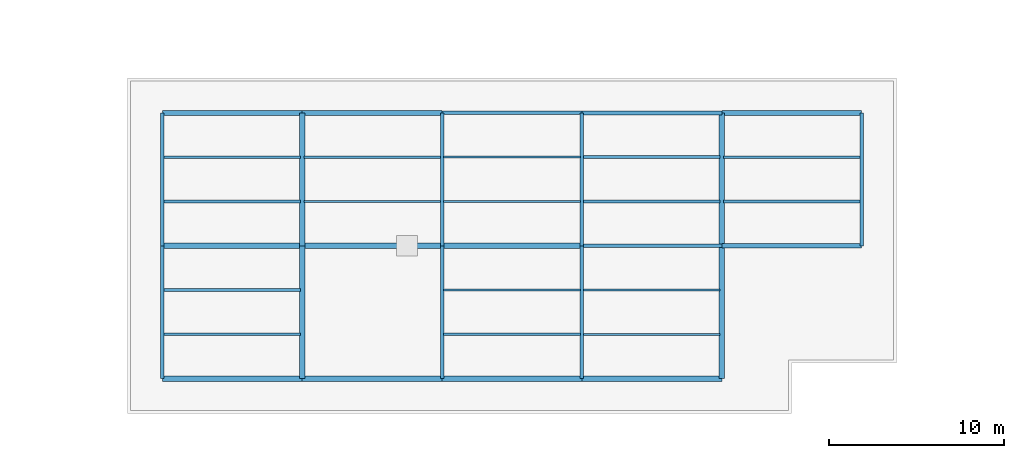
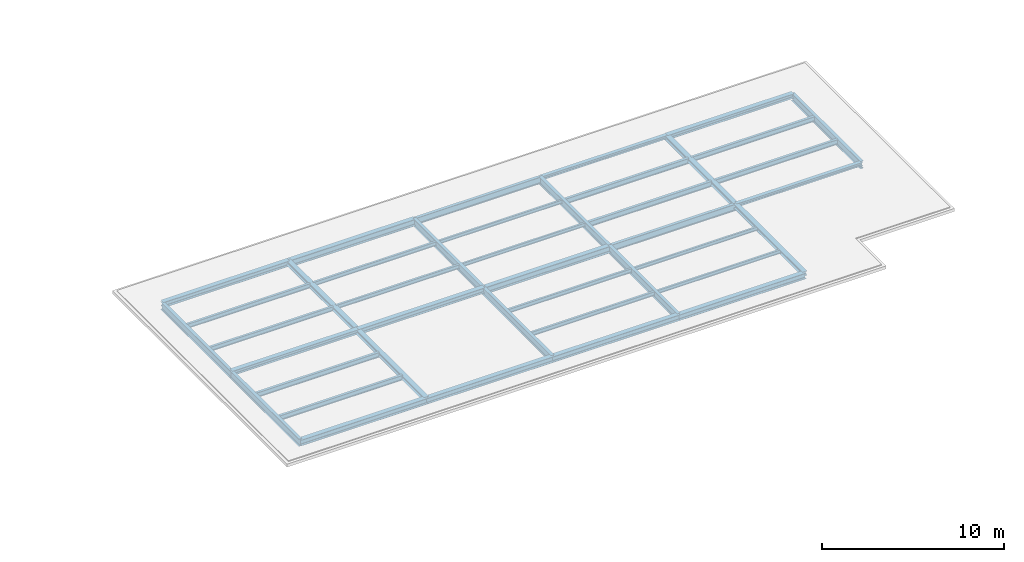
# One storey, part 21 of 120: 41 beams.
"""IFC4 building model written with IfcOpenShell, lengths in metres."""

from ifc_helpers import new_model, si_unit, direction, frame, origin, origin_2d, place, context, subcontext, project, spatial, i_section, extrude, material, material_profile, profile_set, type_object, element, save


model = new_model("IFC4")

# Units and contexts
model_context = context("Model", 3, precision=1e-05, world=origin(), true_north=direction((0.0, 1.0)))
body_context = subcontext(model_context, "Body", "Model", "MODEL_VIEW")
ifc_project = project(units=[si_unit("LENGTHUNIT", "METRE"), si_unit("AREAUNIT", "SQUARE_METRE"), si_unit("VOLUMEUNIT", "CUBIC_METRE"), si_unit("PLANEANGLEUNIT", "RADIAN"), si_unit("MASSUNIT", "GRAM", prefix="KILO")], contexts=[model_context])

# Site, building, storey
site_placement = place(None, origin())
site = spatial("IfcSite", under=ifc_project, at=site_placement, CompositionType="ELEMENT")
building_placement = place(site_placement, origin())
building = spatial("IfcBuilding", under=site, at=building_placement, Name="Vekula Escarpment Museum", CompositionType="ELEMENT")
storey_placement = place(building_placement, frame((0.0, 0.0, 13.199951171875)))
storey = spatial("IfcBuildingStorey", under=building, at=storey_placement, Name="L03", CompositionType="ELEMENT", Elevation=13.199951171875)

# Beams
ifc_material_1 = material(Name="Steel S355", Category="steel")
ifc_material_profile_1 = material_profile(ifc_material_1, i_section(OverallWidth=0.300048828125, OverallDepth=0.300048828125, WebThickness=0.010986328125, FlangeThickness=0.01904296875, FilletRadius=0.027099609375, at=origin_2d()), Name="HEB 300")
ifc_profile_set_1 = profile_set([ifc_material_profile_1], Name="Steel S355")
beam_type_1 = type_object("IfcBeamType", Name="BM-GIRD-HEB300", PredefinedType="BEAM", material=ifc_profile_set_1)
for number, where, z_axis, x_axis, name in (
    (1, (78.0, 7.60009765625, -0.349853515625), (1.0, 0.0, 0.0), (0.0, 1.0, 0.0), "Beam X L03 1283"),
    (2, (110.0, 15.199951171875, -0.349853515625), (1.0, 0.0, 0.0), (0.0, 1.0, 0.0), "Beam X L03 1300"),
):
    element("IfcBeam", number, at=place(storey_placement, frame(where, z_axis=z_axis, x_axis=x_axis)), inside=storey, type_object=beam_type_1, Name=name, PredefinedType="BEAM", context=body_context, shape_type="SweptSolid", body=[
        extrude(i_section(OverallWidth=0.300048828125, OverallDepth=0.300048828125, WebThickness=0.010986328125, FlangeThickness=0.01904296875, FilletRadius=0.027099609375, at=origin_2d()), origin(), (0.0, 0.0, 1.0), 8.0),
    ])
ifc_material_2 = material(Name="Steel S355", Category="steel")
ifc_material_profile_2 = material_profile(ifc_material_2, i_section(OverallWidth=0.300048828125, OverallDepth=0.360107421875, WebThickness=0.012451171875, FlangeThickness=0.0224609375, FilletRadius=0.027099609375, at=origin_2d()), Name="HEB 360")
ifc_profile_set_2 = profile_set([ifc_material_profile_2], Name="Steel S355")
beam_type_2 = type_object("IfcBeamType", Name="BM-GIRD-HEB360", PredefinedType="BEAM", material=ifc_profile_set_2)
for number, where, z_axis, x_axis, name in (
    (3, (86.0, 7.60009765625, -0.3798828125), (1.0, 0.0, 0.0), (0.0, 1.0, 0.0), "Beam X L03 1284"),
    (4, (78.0, 15.199951171875, -0.3798828125), (1.0, 0.0, 0.0), (0.0, 1.0, 0.0), "Beam X L03 1296"),
):
    element("IfcBeam", number, at=place(storey_placement, frame(where, z_axis=z_axis, x_axis=x_axis)), inside=storey, type_object=beam_type_2, Name=name, PredefinedType="BEAM", context=body_context, shape_type="SweptSolid", body=[
        extrude(i_section(OverallWidth=0.300048828125, OverallDepth=0.360107421875, WebThickness=0.012451171875, FlangeThickness=0.0224609375, FilletRadius=0.027099609375, at=origin_2d()), origin(), (0.0, 0.0, 1.0), 8.0),
    ])
ifc_material_3 = material(Name="Steel S355", Category="steel")
ifc_material_profile_3 = material_profile(ifc_material_3, i_section(OverallWidth=0.300048828125, OverallDepth=0.449951171875, WebThickness=0.013916015625, FlangeThickness=0.02587890625, FilletRadius=0.027099609375, at=origin_2d()), Name="HEB 450")
ifc_profile_set_3 = profile_set([ifc_material_profile_3], Name="Steel S355")
beam_type_3 = type_object("IfcBeamType", Name="BM-GIRD-HEB450", PredefinedType="BEAM", material=ifc_profile_set_3)
for number, where, z_axis, x_axis, name in (
    (5, (94.0, 7.60009765625, -0.425048828125), (1.0, 0.0, 0.0), (0.0, 1.0, 0.0), "Beam X L03 1285"),
    (6, (86.0, 15.199951171875, -0.425048828125), (1.0, 0.0, 0.0), (0.0, 1.0, 0.0), "Beam X L03 1297"),
):
    element("IfcBeam", number, at=place(storey_placement, frame(where, z_axis=z_axis, x_axis=x_axis)), inside=storey, type_object=beam_type_3, Name=name, PredefinedType="BEAM", context=body_context, shape_type="SweptSolid", body=[
        extrude(i_section(OverallWidth=0.300048828125, OverallDepth=0.449951171875, WebThickness=0.013916015625, FlangeThickness=0.02587890625, FilletRadius=0.027099609375, at=origin_2d()), origin(), (0.0, 0.0, 1.0), 8.0),
    ])
ifc_material_4 = material(Name="Steel S355", Category="steel")
ifc_material_profile_4 = material_profile(ifc_material_4, i_section(OverallWidth=0.18994140625, OverallDepth=0.449951171875, WebThickness=0.009521484375, FlangeThickness=0.0146484375, FilletRadius=0.02099609375, at=origin_2d()), Name="IPE 450")
ifc_profile_set_4 = profile_set([ifc_material_profile_4], Name="Steel S355")
beam_type_4 = type_object("IfcBeamType", Name="BM-GIRD-IPE450", PredefinedType="BEAM", material=ifc_profile_set_4)
for number, where, z_axis, x_axis, name in (
    (7, (102.0, 7.60009765625, -0.425048828125), (1.0, 0.0, 0.0), (0.0, 1.0, 0.0), "Beam X L03 1286"),
    (8, (94.0, 15.199951171875, -0.425048828125), (1.0, 0.0, 0.0), (0.0, 1.0, 0.0), "Beam X L03 1298"),
):
    element("IfcBeam", number, at=place(storey_placement, frame(where, z_axis=z_axis, x_axis=x_axis)), inside=storey, type_object=beam_type_4, Name=name, PredefinedType="BEAM", context=body_context, shape_type="SweptSolid", body=[
        extrude(i_section(OverallWidth=0.18994140625, OverallDepth=0.449951171875, WebThickness=0.009521484375, FlangeThickness=0.0146484375, FilletRadius=0.02099609375, at=origin_2d()), origin(), (0.0, 0.0, 1.0), 8.0),
    ])
ifc_material_5 = material(Name="Steel S355", Category="steel")
ifc_material_profile_5 = material_profile(ifc_material_5, i_section(OverallWidth=0.199951171875, OverallDepth=0.5, WebThickness=0.01025390625, FlangeThickness=0.01611328125, FilletRadius=0.02099609375, at=origin_2d()), Name="IPE 500")
ifc_profile_set_5 = profile_set([ifc_material_profile_5], Name="Steel S355")
beam_type_5 = type_object("IfcBeamType", Name="BM-GIRD-IPE500", PredefinedType="BEAM", material=ifc_profile_set_5)
beam_1_placement = place(storey_placement, frame((78.0, 0.0, -0.449951171875), z_axis=(0.0, 1.0, 0.0), x_axis=(-1.0, 0.0, 0.0)))
element("IfcBeam", 9, at=beam_1_placement, inside=storey, type_object=beam_type_5, Name="Beam Y L03 1563", PredefinedType="BEAM", context=body_context, shape_type="SweptSolid", body=[
    extrude(i_section(OverallWidth=0.199951171875, OverallDepth=0.5, WebThickness=0.01025390625, FlangeThickness=0.01611328125, FilletRadius=0.02099609375, at=origin_2d()), origin(), (0.0, 0.0, 1.0), 7.60009765625),
])
beam_2_placement = place(storey_placement, frame((78.0, 7.60009765625, -0.449951171875), z_axis=(0.0, 1.0, 0.0), x_axis=(-1.0, 0.0, 0.0)))
element("IfcBeam", 10, at=beam_2_placement, inside=storey, type_object=beam_type_5, Name="Beam Y L03 1564", PredefinedType="BEAM", context=body_context, shape_type="SweptSolid", body=[
    extrude(i_section(OverallWidth=0.199951171875, OverallDepth=0.5, WebThickness=0.01025390625, FlangeThickness=0.01611328125, FilletRadius=0.02099609375, at=origin_2d()), origin(), (0.0, 0.0, 1.0), 7.599853515625),
])
beam_3_placement = place(storey_placement, frame((94.0, 0.0, -0.449951171875), z_axis=(0.0, 1.0, 0.0), x_axis=(-1.0, 0.0, 0.0)))
element("IfcBeam", 11, at=beam_3_placement, inside=storey, type_object=beam_type_5, Name="Beam Y L03 1583", PredefinedType="BEAM", context=body_context, shape_type="SweptSolid", body=[
    extrude(i_section(OverallWidth=0.199951171875, OverallDepth=0.5, WebThickness=0.01025390625, FlangeThickness=0.01611328125, FilletRadius=0.02099609375, at=origin_2d()), origin(), (0.0, 0.0, 1.0), 7.60009765625),
])
beam_4_placement = place(storey_placement, frame((94.0, 7.60009765625, -0.449951171875), z_axis=(0.0, 1.0, 0.0), x_axis=(-1.0, 0.0, 0.0)))
element("IfcBeam", 12, at=beam_4_placement, inside=storey, type_object=beam_type_5, Name="Beam Y L03 1584", PredefinedType="BEAM", context=body_context, shape_type="SweptSolid", body=[
    extrude(i_section(OverallWidth=0.199951171875, OverallDepth=0.5, WebThickness=0.01025390625, FlangeThickness=0.01611328125, FilletRadius=0.02099609375, at=origin_2d()), origin(), (0.0, 0.0, 1.0), 7.599853515625),
])
beam_5_placement = place(storey_placement, frame((102.0, 0.0, -0.449951171875), z_axis=(0.0, 1.0, 0.0), x_axis=(-1.0, 0.0, 0.0)))
element("IfcBeam", 13, at=beam_5_placement, inside=storey, type_object=beam_type_5, Name="Beam Y L03 1595", PredefinedType="BEAM", context=body_context, shape_type="SweptSolid", body=[
    extrude(i_section(OverallWidth=0.199951171875, OverallDepth=0.5, WebThickness=0.01025390625, FlangeThickness=0.01611328125, FilletRadius=0.02099609375, at=origin_2d()), origin(), (0.0, 0.0, 1.0), 7.60009765625),
])
for number, where, z_axis, x_axis, name in (
    (14, (102.0, 7.60009765625, -0.449951171875), (0.0, 1.0, 0.0), (-1.0, 0.0, 0.0), "Beam Y L03 1596"),
    (15, (118.0, 7.60009765625, -0.449951171875), (0.0, 1.0, 0.0), (-1.0, 0.0, 0.0), "Beam Y L03 1617"),
):
    element("IfcBeam", number, at=place(storey_placement, frame(where, z_axis=z_axis, x_axis=x_axis)), inside=storey, type_object=beam_type_5, Name=name, PredefinedType="BEAM", context=body_context, shape_type="SweptSolid", body=[
        extrude(i_section(OverallWidth=0.199951171875, OverallDepth=0.5, WebThickness=0.01025390625, FlangeThickness=0.01611328125, FilletRadius=0.02099609375, at=origin_2d()), origin(), (0.0, 0.0, 1.0), 7.599853515625),
    ])
ifc_material_6 = material(Name="Steel S355", Category="steel")
ifc_material_profile_6 = material_profile(ifc_material_6, i_section(OverallWidth=0.1201171875, OverallDepth=0.239990234375, WebThickness=0.006103515625, FlangeThickness=0.009765625, FilletRadius=0.014892578125, at=origin_2d()), Name="IPE 240")
ifc_profile_set_6 = profile_set([ifc_material_profile_6], Name="Steel S355")
beam_type_6 = type_object("IfcBeamType", Name="BM-JST-IPE240", PredefinedType="JOIST", material=ifc_profile_set_6)
for number, where, z_axis, x_axis, name in (
    (16, (94.090087890625, 10.13330078125, -0.320068359375), (1.0, 0.0, 0.0), (0.0, 1.0, 0.0), "Secondary Joist L03 1025"),
    (17, (94.090087890625, 12.666748046875, -0.320068359375), (1.0, 0.0, 0.0), (0.0, 1.0, 0.0), "Secondary Joist L03 1026"),
    (18, (102.090087890625, 2.533203125, -0.320068359375), (1.0, 0.0, 0.0), (0.0, 1.0, 0.0), "Secondary Joist L03 1043"),
    (19, (102.090087890625, 5.066650390625, -0.320068359375), (1.0, 0.0, 0.0), (0.0, 1.0, 0.0), "Secondary Joist L03 1044"),
):
    element("IfcBeam", number, at=place(storey_placement, frame(where, z_axis=z_axis, x_axis=x_axis)), inside=storey, type_object=beam_type_6, Name=name, PredefinedType="JOIST", context=body_context, shape_type="SweptSolid", body=[
        extrude(i_section(OverallWidth=0.1201171875, OverallDepth=0.239990234375, WebThickness=0.006103515625, FlangeThickness=0.009765625, FilletRadius=0.014892578125, at=origin_2d()), origin(), (0.0, 0.0, 1.0), 7.81982421875),
    ])
ifc_material_7 = material(Name="Steel S355", Category="steel")
ifc_material_profile_7 = material_profile(ifc_material_7, i_section(OverallWidth=0.135009765625, OverallDepth=0.27001953125, WebThickness=0.006591796875, FlangeThickness=0.01025390625, FilletRadius=0.014892578125, at=origin_2d()), Name="IPE 270")
ifc_profile_set_7 = profile_set([ifc_material_profile_7], Name="Steel S355")
beam_type_7 = type_object("IfcBeamType", Name="BM-JST-IPE270", PredefinedType="JOIST", material=ifc_profile_set_7)
for number, where, z_axis, x_axis, name in (
    (20, (86.090087890625, 10.13330078125, -0.3349609375), (1.0, 0.0, 0.0), (0.0, 1.0, 0.0), "Secondary Joist L03 1014"),
    (21, (86.090087890625, 12.666748046875, -0.3349609375), (1.0, 0.0, 0.0), (0.0, 1.0, 0.0), "Secondary Joist L03 1015"),
    (22, (94.090087890625, 2.533203125, -0.3349609375), (1.0, 0.0, 0.0), (0.0, 1.0, 0.0), "Secondary Joist L03 1023"),
    (23, (94.090087890625, 5.066650390625, -0.3349609375), (1.0, 0.0, 0.0), (0.0, 1.0, 0.0), "Secondary Joist L03 1024"),
):
    element("IfcBeam", number, at=place(storey_placement, frame(where, z_axis=z_axis, x_axis=x_axis)), inside=storey, type_object=beam_type_7, Name=name, PredefinedType="JOIST", context=body_context, shape_type="SweptSolid", body=[
        extrude(i_section(OverallWidth=0.135009765625, OverallDepth=0.27001953125, WebThickness=0.006591796875, FlangeThickness=0.01025390625, FilletRadius=0.014892578125, at=origin_2d()), origin(), (0.0, 0.0, 1.0), 7.81982421875),
    ])
ifc_material_8 = material(Name="Steel S355", Category="steel")
ifc_material_profile_8 = material_profile(ifc_material_8, i_section(OverallWidth=0.14990234375, OverallDepth=0.300048828125, WebThickness=0.007080078125, FlangeThickness=0.0107421875, FilletRadius=0.014892578125, at=origin_2d()), Name="IPE 300")
ifc_profile_set_8 = profile_set([ifc_material_profile_8], Name="Steel S355")
beam_type_8 = type_object("IfcBeamType", Name="BM-JST-IPE300", PredefinedType="JOIST", material=ifc_profile_set_8)
for number, where, z_axis, x_axis, name in (
    (24, (78.090087890625, 10.13330078125, -0.349853515625), (1.0, 0.0, 0.0), (0.0, 1.0, 0.0), "Secondary Joist L03 1000"),
    (25, (78.090087890625, 12.666748046875, -0.349853515625), (1.0, 0.0, 0.0), (0.0, 1.0, 0.0), "Secondary Joist L03 1001"),
):
    element("IfcBeam", number, at=place(storey_placement, frame(where, z_axis=z_axis, x_axis=x_axis)), inside=storey, type_object=beam_type_8, Name=name, PredefinedType="JOIST", context=body_context, shape_type="SweptSolid", body=[
        extrude(i_section(OverallWidth=0.14990234375, OverallDepth=0.300048828125, WebThickness=0.007080078125, FlangeThickness=0.0107421875, FilletRadius=0.014892578125, at=origin_2d()), origin(), (0.0, 0.0, 1.0), 7.81982421875),
    ])
ifc_material_9 = material(Name="Steel S355", Category="steel")
ifc_material_profile_9 = material_profile(ifc_material_9, i_section(OverallWidth=0.159912109375, OverallDepth=0.330078125, WebThickness=0.007568359375, FlangeThickness=0.011474609375, FilletRadius=0.01806640625, at=origin_2d()), Name="IPE 330")
ifc_profile_set_9 = profile_set([ifc_material_profile_9], Name="Steel S355")
beam_type_9 = type_object("IfcBeamType", Name="BM-JST-IPE330", PredefinedType="JOIST", material=ifc_profile_set_9)
for number, where, z_axis, x_axis, name in (
    (26, (78.090087890625, 2.533203125, -0.364990234375), (1.0, 0.0, 0.0), (0.0, 1.0, 0.0), "Secondary Joist L03 0998"),
    (27, (78.090087890625, 5.066650390625, -0.364990234375), (1.0, 0.0, 0.0), (0.0, 1.0, 0.0), "Secondary Joist L03 0999"),
    (28, (110.090087890625, 10.13330078125, -0.364990234375), (1.0, 0.0, 0.0), (0.0, 1.0, 0.0), "Secondary Joist L03 1055"),
    (29, (110.090087890625, 12.666748046875, -0.364990234375), (1.0, 0.0, 0.0), (0.0, 1.0, 0.0), "Secondary Joist L03 1056"),
):
    element("IfcBeam", number, at=place(storey_placement, frame(where, z_axis=z_axis, x_axis=x_axis)), inside=storey, type_object=beam_type_9, Name=name, PredefinedType="JOIST", context=body_context, shape_type="SweptSolid", body=[
        extrude(i_section(OverallWidth=0.159912109375, OverallDepth=0.330078125, WebThickness=0.007568359375, FlangeThickness=0.011474609375, FilletRadius=0.01806640625, at=origin_2d()), origin(), (0.0, 0.0, 1.0), 7.81982421875),
    ])
ifc_material_10 = material(Name="Steel S355", Category="steel")
ifc_material_profile_10 = material_profile(ifc_material_10, i_section(OverallWidth=0.169921875, OverallDepth=0.360107421875, WebThickness=0.008056640625, FlangeThickness=0.0126953125, FilletRadius=0.01806640625, at=origin_2d()), Name="IPE 360")
ifc_profile_set_10 = profile_set([ifc_material_profile_10], Name="Steel S355")
beam_type_10 = type_object("IfcBeamType", Name="BM-JST-IPE360", PredefinedType="JOIST", material=ifc_profile_set_10)
for number, where, z_axis, x_axis, name in (
    (30, (102.090087890625, 10.13330078125, -0.3798828125), (1.0, 0.0, 0.0), (0.0, 1.0, 0.0), "Secondary Joist L03 1045"),
    (31, (102.090087890625, 12.666748046875, -0.3798828125), (1.0, 0.0, 0.0), (0.0, 1.0, 0.0), "Secondary Joist L03 1046"),
):
    element("IfcBeam", number, at=place(storey_placement, frame(where, z_axis=z_axis, x_axis=x_axis)), inside=storey, type_object=beam_type_10, Name=name, PredefinedType="JOIST", context=body_context, shape_type="SweptSolid", body=[
        extrude(i_section(OverallWidth=0.169921875, OverallDepth=0.360107421875, WebThickness=0.008056640625, FlangeThickness=0.0126953125, FilletRadius=0.01806640625, at=origin_2d()), origin(), (0.0, 0.0, 1.0), 7.81982421875),
    ])
ifc_material_11 = material(Name="Steel S355", Category="steel")
ifc_material_profile_11 = material_profile(ifc_material_11, i_section(OverallWidth=0.239990234375, OverallDepth=0.22998046875, WebThickness=0.007568359375, FlangeThickness=0.011962890625, FilletRadius=0.02099609375, at=origin_2d()), Name="HEA 240")
ifc_profile_set_11 = profile_set([ifc_material_profile_11], Name="Steel S355")
beam_type_11 = type_object("IfcBeamType", Name="BM-SPAN-HEA240", PredefinedType="SPANDREL", material=ifc_profile_set_11)
for number, where, z_axis, x_axis, name in (
    (32, (110.0, 7.60009765625, -0.31494140625), (1.0, 0.0, 0.0), (0.0, 1.0, 0.0), "Beam X L03 1287"),
    (33, (102.0, 15.199951171875, -0.31494140625), (1.0, 0.0, 0.0), (0.0, 1.0, 0.0), "Beam X L03 1299"),
):
    element("IfcBeam", number, at=place(storey_placement, frame(where, z_axis=z_axis, x_axis=x_axis)), inside=storey, type_object=beam_type_11, Name=name, PredefinedType="SPANDREL", context=body_context, shape_type="SweptSolid", body=[
        extrude(i_section(OverallWidth=0.239990234375, OverallDepth=0.22998046875, WebThickness=0.007568359375, FlangeThickness=0.011962890625, FilletRadius=0.02099609375, at=origin_2d()), origin(), (0.0, 0.0, 1.0), 8.0),
    ])
ifc_material_12 = material(Name="Steel S355", Category="steel")
ifc_material_profile_12 = material_profile(ifc_material_12, i_section(OverallWidth=0.300048828125, OverallDepth=0.2900390625, WebThickness=0.008544921875, FlangeThickness=0.013916015625, FilletRadius=0.027099609375, at=origin_2d()), Name="HEA 300")
ifc_profile_set_12 = profile_set([ifc_material_profile_12], Name="Steel S355")
beam_type_12 = type_object("IfcBeamType", Name="BM-SPAN-HEA300", PredefinedType="SPANDREL", material=ifc_profile_set_12)
beam_6_placement = place(storey_placement, frame((86.0, 0.0, -0.344970703125), z_axis=(0.0, 1.0, 0.0), x_axis=(-1.0, 0.0, 0.0)))
element("IfcBeam", 34, at=beam_6_placement, inside=storey, type_object=beam_type_12, Name="Beam Y L03 1573", PredefinedType="SPANDREL", context=body_context, shape_type="SweptSolid", body=[
    extrude(i_section(OverallWidth=0.300048828125, OverallDepth=0.2900390625, WebThickness=0.008544921875, FlangeThickness=0.013916015625, FilletRadius=0.027099609375, at=origin_2d()), origin(), (0.0, 0.0, 1.0), 7.60009765625),
])
beam_7_placement = place(storey_placement, frame((86.0, 7.60009765625, -0.344970703125), z_axis=(0.0, 1.0, 0.0), x_axis=(-1.0, 0.0, 0.0)))
element("IfcBeam", 35, at=beam_7_placement, inside=storey, type_object=beam_type_12, Name="Beam Y L03 1574", PredefinedType="SPANDREL", context=body_context, shape_type="SweptSolid", body=[
    extrude(i_section(OverallWidth=0.300048828125, OverallDepth=0.2900390625, WebThickness=0.008544921875, FlangeThickness=0.013916015625, FilletRadius=0.027099609375, at=origin_2d()), origin(), (0.0, 0.0, 1.0), 7.599853515625),
])
beam_8_placement = place(storey_placement, frame((110.0, 0.0, -0.344970703125), z_axis=(0.0, 1.0, 0.0), x_axis=(-1.0, 0.0, 0.0)))
element("IfcBeam", 36, at=beam_8_placement, inside=storey, type_object=beam_type_12, Name="Beam Y L03 1607", PredefinedType="SPANDREL", context=body_context, shape_type="SweptSolid", body=[
    extrude(i_section(OverallWidth=0.300048828125, OverallDepth=0.2900390625, WebThickness=0.008544921875, FlangeThickness=0.013916015625, FilletRadius=0.027099609375, at=origin_2d()), origin(), (0.0, 0.0, 1.0), 7.60009765625),
])
beam_9_placement = place(storey_placement, frame((110.0, 7.60009765625, -0.344970703125), z_axis=(0.0, 1.0, 0.0), x_axis=(-1.0, 0.0, 0.0)))
element("IfcBeam", 37, at=beam_9_placement, inside=storey, type_object=beam_type_12, Name="Beam Y L03 1608", PredefinedType="SPANDREL", context=body_context, shape_type="SweptSolid", body=[
    extrude(i_section(OverallWidth=0.300048828125, OverallDepth=0.2900390625, WebThickness=0.008544921875, FlangeThickness=0.013916015625, FilletRadius=0.027099609375, at=origin_2d()), origin(), (0.0, 0.0, 1.0), 7.599853515625),
])
ifc_material_13 = material(Name="Steel S355", Category="steel")
ifc_material_profile_13 = material_profile(ifc_material_13, i_section(OverallWidth=0.300048828125, OverallDepth=0.389892578125, WebThickness=0.010986328125, FlangeThickness=0.01904296875, FilletRadius=0.027099609375, at=origin_2d()), Name="HEA 400")
ifc_profile_set_13 = profile_set([ifc_material_profile_13], Name="Steel S355")
beam_type_13 = type_object("IfcBeamType", Name="BM-SPAN-HEA400", PredefinedType="SPANDREL", material=ifc_profile_set_13)
for number, where, z_axis, x_axis, name in (
    (38, (78.0, 0.0, -0.39501953125), (1.0, 0.0, 0.0), (0.0, 1.0, 0.0), "Beam X L03 1272"),
    (39, (86.0, 0.0, -0.39501953125), (1.0, 0.0, 0.0), (0.0, 1.0, 0.0), "Beam X L03 1273"),
    (40, (94.0, 0.0, -0.39501953125), (1.0, 0.0, 0.0), (0.0, 1.0, 0.0), "Beam X L03 1274"),
    (41, (102.0, 0.0, -0.39501953125), (1.0, 0.0, 0.0), (0.0, 1.0, 0.0), "Beam X L03 1275"),
):
    element("IfcBeam", number, at=place(storey_placement, frame(where, z_axis=z_axis, x_axis=x_axis)), inside=storey, type_object=beam_type_13, Name=name, PredefinedType="SPANDREL", context=body_context, shape_type="SweptSolid", body=[
        extrude(i_section(OverallWidth=0.300048828125, OverallDepth=0.389892578125, WebThickness=0.010986328125, FlangeThickness=0.01904296875, FilletRadius=0.027099609375, at=origin_2d()), origin(), (0.0, 0.0, 1.0), 8.0),
    ])

save(model, "model.ifc")
